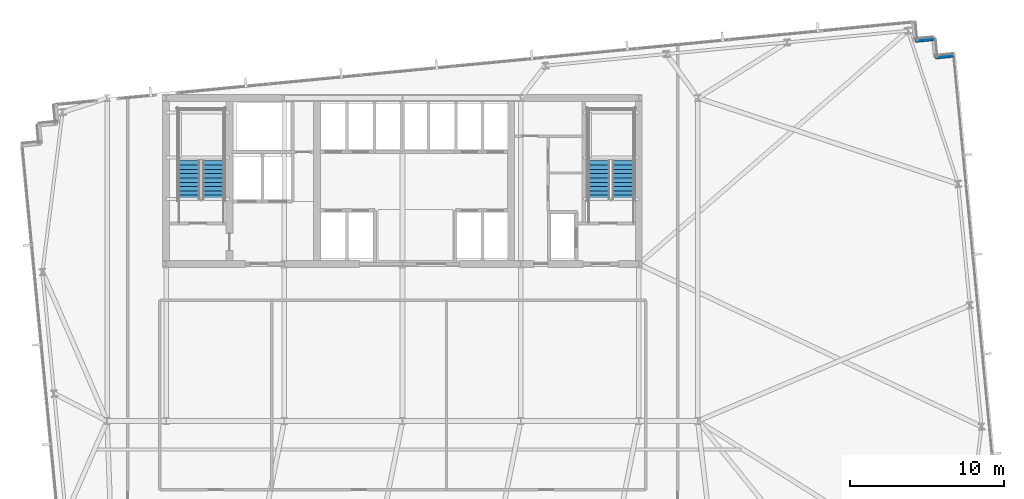
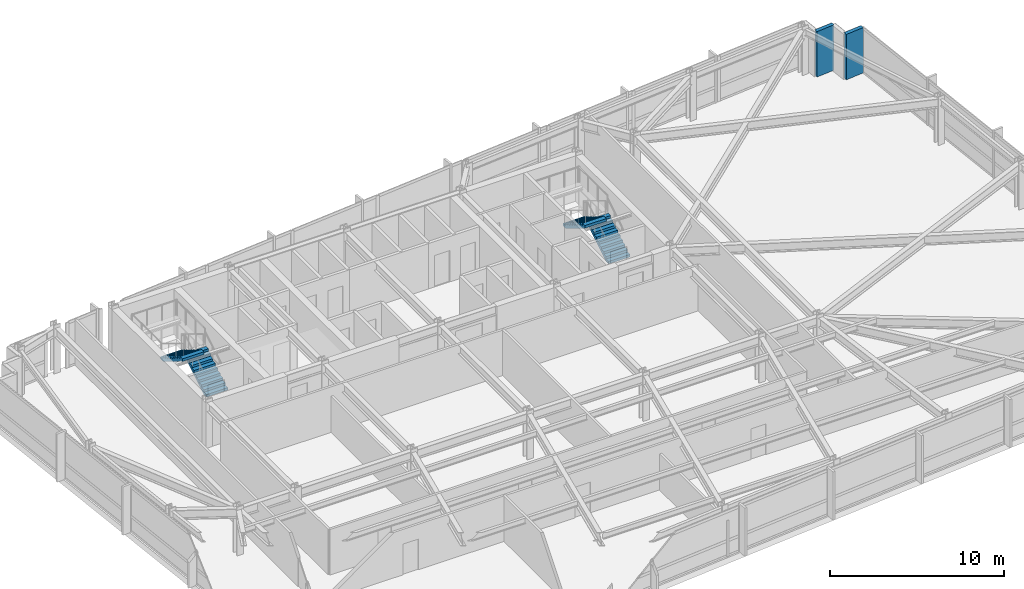
# One storey, part 27 of 33: 4 stair flights, 2 walls, 2 elements without a shape of their own.
"""IFC4 building model written with IfcOpenShell, lengths in metres."""

from ifc_helpers import new_model, si_unit, direction, frame, frame_2d, origin, place, context, subcontext, project, spatial, polyline, rectangle, outline, extrude, material, layer, layer_set, type_object, element, aggregate, save


model = new_model("IFC4")

# Units and contexts
model_context = context("Model", 3, precision=1e-05, world=origin(), true_north=direction((0.0, 1.0)))
body_context = subcontext(model_context, "Body", "Model", "MODEL_VIEW")
ifc_project = project(units=[si_unit("LENGTHUNIT", "METRE"), si_unit("AREAUNIT", "SQUARE_METRE"), si_unit("VOLUMEUNIT", "CUBIC_METRE"), si_unit("PLANEANGLEUNIT", "RADIAN"), si_unit("MASSUNIT", "GRAM", prefix="KILO")], contexts=[model_context])

# Site, building, storey
site_placement = place(None, origin())
site = spatial("IfcSite", under=ifc_project, at=site_placement, CompositionType="ELEMENT")
building_placement = place(site_placement, origin())
building = spatial("IfcBuilding", under=site, at=building_placement, Name="Yelkora Congress Tower", CompositionType="ELEMENT")
storey_placement = place(building_placement, frame((0.0, 0.0, 89.699951171875)))
storey = spatial("IfcBuildingStorey", under=building, at=storey_placement, Name="L23", CompositionType="ELEMENT", Elevation=89.699951171875)

# Walls
ifc_material = material(Name="Concrete C40/50", Category="concrete")
ifc_layer = layer(ifc_material, 0.239990234375)
ifc_layer_set = layer_set([ifc_layer], Name="Concrete C40/50")
wall_type = type_object("IfcWallType", Name="WALL-EXT-LIMESTONE-240", PredefinedType="SOLIDWALL", material=ifc_layer_set)
for number, where, z_axis, x_axis, name in (
    (1, (71.726806640625, 49.92041015625, 0.0), (0.0, 0.0, 1.0), (0.995398960025, 0.095817067274, 0.0), "L23 Serrated Corner Limestone Pier 12"),
    (2, (73.036376953125, 48.8408203125, 0.0), (0.0, 0.0, 1.0), (0.995379537303, 0.096018626938, 0.0), "L23 Serrated Corner Limestone Pier 14"),
):
    element("IfcWall", number, at=place(storey_placement, frame(where, z_axis=z_axis, x_axis=x_axis)), inside=storey, type_object=wall_type, Name=name, PredefinedType="SOLIDWALL", context=body_context, shape_type="SweptSolid", body=[
        extrude(rectangle(XDim=1.2001953125, YDim=0.239990234375, at=frame_2d((0.60009765625, 0.0))), origin(), (0.0, 0.0, 1.0), 3.179931640625),
    ])

# Stair, stair flights
stair_type = type_object("IfcStairType", Name="STAIR-HT-1420-R20-170", PredefinedType="HALF_TURN_STAIR", material=ifc_material)
stair_1_placement = place(storey_placement, origin())
stair_1 = element("IfcStair", 3, at=stair_1_placement, inside=storey, type_object=stair_type, Name="West Core Protected Exit Stair ST-01 (L23)", PredefinedType="HALF_TURN_STAIR")
stair_flight_type = type_object("IfcStairFlightType", Name="FLIGHT-1420-N10-R170-G280", PredefinedType="STRAIGHT", material=ifc_material)
stair_flight_1_placement = place(storey_placement, frame((26.110107421875, 39.60009765625, 0.0), z_axis=(0.0, 0.0, 1.0), x_axis=(0.0, 1.0, 0.0)))
stair_flight_1 = element("IfcStairFlight", 4, at=stair_flight_1_placement, type_object=stair_flight_type, Name="ST-01 L23 Flight 1", NumberOfRisers=10, NumberOfTreads=9, PredefinedType="STRAIGHT", RiserHeight=0.17, TreadLength=0.28, context=body_context, shape_type="SweptSolid", body=[
    extrude(outline(polyline([(0.0, 0.0), (0.0, 0.169921875), (0.280029296875, 0.169921875), (0.280029296875, 0.340087890625), (0.56005859375, 0.340087890625), (0.56005859375, 0.510009765625), (0.840087890625, 0.510009765625), (0.840087890625, 0.679931640625), (1.1201171875, 0.679931640625), (1.1201171875, 0.85009765625), (1.39990234375, 0.85009765625), (1.39990234375, 1.02001953125), (1.679931640625, 1.02001953125), (1.679931640625, 1.18994140625), (1.9599609375, 1.18994140625), (1.9599609375, 1.360107421875), (2.239990234375, 1.360107421875), (2.239990234375, 1.530029296875), (2.52001953125, 1.530029296875), (2.52001953125, 1.699951171875), (2.52001953125, 1.343017578125), (0.30810546875, 0.0), (0.0, 0.0)])), frame((0.0, 0.7099609375, 0.0), z_axis=(0.0, -1.0, 0.0), x_axis=(1.0, 0.0, 0.0)), (0.0, 0.0, 1.0), 1.419921875),
])
stair_flight_2_placement = place(storey_placement, frame((24.530029296875, 42.1201171875, 1.699951171875), z_axis=(0.0, 0.0, 1.0), x_axis=(0.0, -1.0, 0.0)))
stair_flight_2 = element("IfcStairFlight", 5, at=stair_flight_2_placement, type_object=stair_flight_type, Name="ST-01 L23 Flight 2", NumberOfRisers=10, NumberOfTreads=9, PredefinedType="STRAIGHT", RiserHeight=0.17, TreadLength=0.28, context=body_context, shape_type="SweptSolid", body=[
    extrude(outline(polyline([(0.0, 0.0), (0.0, 0.169921875), (0.280029296875, 0.169921875), (0.280029296875, 0.340087890625), (0.56005859375, 0.340087890625), (0.56005859375, 0.510009765625), (0.840087890625, 0.510009765625), (0.840087890625, 0.679931640625), (1.1201171875, 0.679931640625), (1.1201171875, 0.85009765625), (1.39990234375, 0.85009765625), (1.39990234375, 1.02001953125), (1.679931640625, 1.02001953125), (1.679931640625, 1.18994140625), (1.9599609375, 1.18994140625), (1.9599609375, 1.360107421875), (2.239990234375, 1.360107421875), (2.239990234375, 1.530029296875), (2.52001953125, 1.530029296875), (2.52001953125, 1.699951171875), (2.52001953125, 1.343017578125), (0.30810546875, 0.0), (0.0, 0.0)])), frame((0.0, 0.7099609375, 0.0), z_axis=(0.0, -1.0, 0.0), x_axis=(1.0, 0.0, 0.0)), (0.0, 0.0, 1.0), 1.419921875),
])
aggregate(stair_1, [stair_flight_1, stair_flight_2])

stair_2_placement = place(storey_placement, origin())
stair_2 = element("IfcStair", 6, at=stair_2_placement, inside=storey, type_object=stair_type, Name="East Core Protected Exit Stair ST-02 (L23)", PredefinedType="HALF_TURN_STAIR")
stair_flight_3_placement = place(storey_placement, frame((52.75, 39.60009765625, 0.0), z_axis=(0.0, 0.0, 1.0), x_axis=(0.0, 1.0, 0.0)))
stair_flight_3 = element("IfcStairFlight", 7, at=stair_flight_3_placement, type_object=stair_flight_type, Name="ST-02 L23 Flight 1", NumberOfRisers=10, NumberOfTreads=9, PredefinedType="STRAIGHT", RiserHeight=0.17, TreadLength=0.28, context=body_context, shape_type="SweptSolid", body=[
    extrude(outline(polyline([(0.0, 0.0), (0.0, 0.169921875), (0.280029296875, 0.169921875), (0.280029296875, 0.340087890625), (0.56005859375, 0.340087890625), (0.56005859375, 0.510009765625), (0.840087890625, 0.510009765625), (0.840087890625, 0.679931640625), (1.1201171875, 0.679931640625), (1.1201171875, 0.85009765625), (1.39990234375, 0.85009765625), (1.39990234375, 1.02001953125), (1.679931640625, 1.02001953125), (1.679931640625, 1.18994140625), (1.9599609375, 1.18994140625), (1.9599609375, 1.360107421875), (2.239990234375, 1.360107421875), (2.239990234375, 1.530029296875), (2.52001953125, 1.530029296875), (2.52001953125, 1.699951171875), (2.52001953125, 1.343017578125), (0.30810546875, 0.0), (0.0, 0.0)])), frame((0.0, 0.7099609375, 0.0), z_axis=(0.0, -1.0, 0.0), x_axis=(1.0, 0.0, 0.0)), (0.0, 0.0, 1.0), 1.419921875),
])
stair_flight_4_placement = place(storey_placement, frame((51.169921875, 42.1201171875, 1.699951171875), z_axis=(0.0, 0.0, 1.0), x_axis=(0.0, -1.0, 0.0)))
stair_flight_4 = element("IfcStairFlight", 8, at=stair_flight_4_placement, type_object=stair_flight_type, Name="ST-02 L23 Flight 2", NumberOfRisers=10, NumberOfTreads=9, PredefinedType="STRAIGHT", RiserHeight=0.17, TreadLength=0.28, context=body_context, shape_type="SweptSolid", body=[
    extrude(outline(polyline([(0.0, 0.0), (0.0, 0.169921875), (0.280029296875, 0.169921875), (0.280029296875, 0.340087890625), (0.56005859375, 0.340087890625), (0.56005859375, 0.510009765625), (0.840087890625, 0.510009765625), (0.840087890625, 0.679931640625), (1.1201171875, 0.679931640625), (1.1201171875, 0.85009765625), (1.39990234375, 0.85009765625), (1.39990234375, 1.02001953125), (1.679931640625, 1.02001953125), (1.679931640625, 1.18994140625), (1.9599609375, 1.18994140625), (1.9599609375, 1.360107421875), (2.239990234375, 1.360107421875), (2.239990234375, 1.530029296875), (2.52001953125, 1.530029296875), (2.52001953125, 1.699951171875), (2.52001953125, 1.343017578125), (0.30810546875, 0.0), (0.0, 0.0)])), frame((0.0, 0.7099609375, 0.0), z_axis=(0.0, -1.0, 0.0), x_axis=(1.0, 0.0, 0.0)), (0.0, 0.0, 1.0), 1.419921875),
])
aggregate(stair_2, [stair_flight_3, stair_flight_4])

save(model, "model.ifc")
